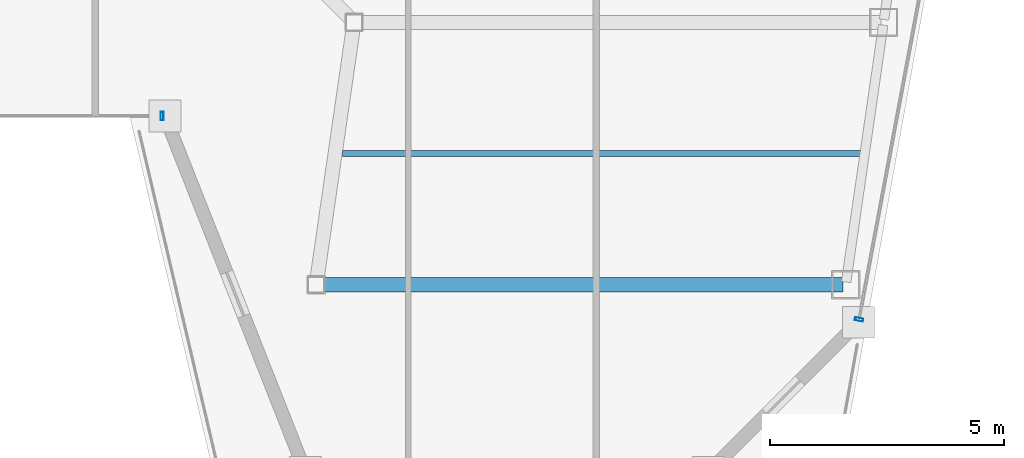
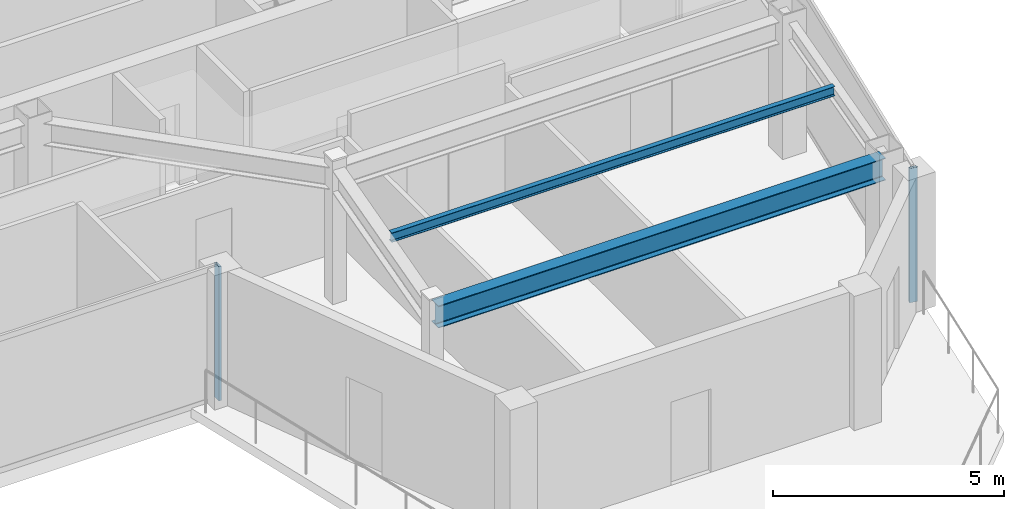
# One storey, part 9 of 25: 2 beams, 2 members, 2 elements without a shape of their own.
"""IFC4 building model written with IfcOpenShell, lengths in metres."""

from ifc_helpers import new_model, si_unit, direction, frame, origin, origin_2d, place, context, subcontext, project, spatial, hollow_rectangle, i_section, extrude, material, material_profile, profile_set, type_object, element, aggregate, save


model = new_model("IFC4")

# Units and contexts
model_context = context("Model", 3, precision=1e-05, world=origin(), true_north=direction((0.0, 1.0)))
body_context = subcontext(model_context, "Body", "Model", "MODEL_VIEW")
ifc_project = project(units=[si_unit("LENGTHUNIT", "METRE"), si_unit("AREAUNIT", "SQUARE_METRE"), si_unit("VOLUMEUNIT", "CUBIC_METRE"), si_unit("PLANEANGLEUNIT", "RADIAN"), si_unit("MASSUNIT", "GRAM", prefix="KILO")], contexts=[model_context])

# Site, building, storey
site_placement = place(None, origin())
site = spatial("IfcSite", under=ifc_project, at=site_placement, CompositionType="ELEMENT")
building_placement = place(site_placement, origin())
building = spatial("IfcBuilding", under=site, at=building_placement, Name="Saevonmaru Cultural Tower", CompositionType="ELEMENT")
storey_placement = place(building_placement, frame((0.0, 0.0, 276.199951171875)))
storey = spatial("IfcBuildingStorey", under=building, at=storey_placement, Name="L65", CompositionType="ELEMENT", Elevation=276.199951171875)

# Beams
ifc_material_1 = material(Name="Steel SM355", Category="steel")
ifc_material_profile_1 = material_profile(ifc_material_1, i_section(OverallWidth=0.300048828125, OverallDepth=0.587890625, WebThickness=0.011962890625, FlangeThickness=0.02001953125, FilletRadius=0.02392578125, at=origin_2d()), Name="H-588x300x12x20")
ifc_profile_set_1 = profile_set([ifc_material_profile_1], Name="Steel SM355")
beam_type_1 = type_object("IfcBeamType", Name="BM-G-H588", PredefinedType="BEAM", material=ifc_profile_set_1)
beam_1_placement = place(storey_placement, frame((40.443115234375, 32.0, 3.256103515625), z_axis=(1.0, 0.0, 0.0), x_axis=(0.0, 1.0, 0.0)))
element("IfcBeam", 1, at=beam_1_placement, inside=storey, type_object=beam_type_1, Name="L65 East Wing Transverse Girder 1", PredefinedType="BEAM", context=body_context, shape_type="SweptSolid", body=[
    extrude(i_section(OverallWidth=0.300048828125, OverallDepth=0.587890625, WebThickness=0.011962890625, FlangeThickness=0.02001953125, FilletRadius=0.02392578125, at=origin_2d()), origin(), (0.0, 0.0, 1.0), 11.179931640625),
])
ifc_material_profile_2 = material_profile(ifc_material_1, i_section(OverallWidth=0.125, OverallDepth=0.25, WebThickness=0.006103515625, FlangeThickness=0.009033203125, FilletRadius=0.008056640625, at=origin_2d()), Name="H-250x125x6x9")
ifc_profile_set_2 = profile_set([ifc_material_profile_2], Name="Steel SM355")
beam_type_2 = type_object("IfcBeamType", Name="BM-J-H250", PredefinedType="JOIST", material=ifc_profile_set_2)
beam_2_placement = place(storey_placement, frame((40.945556640625, 34.800048828125, 3.425048828125), z_axis=(1.0, 0.0, 0.0), x_axis=(0.0, 1.0, 0.0)))
element("IfcBeam", 2, at=beam_2_placement, inside=storey, type_object=beam_type_2, Name="L65 East Wing Floor Joist 1", PredefinedType="JOIST", context=body_context, shape_type="SweptSolid", body=[
    extrude(i_section(OverallWidth=0.125, OverallDepth=0.25, WebThickness=0.006103515625, FlangeThickness=0.009033203125, FilletRadius=0.008056640625, at=origin_2d()), origin(), (0.0, 0.0, 1.0), 11.08203125),
])

# Curtain wall, member
ifc_material_2 = material(Name="Satin Bronze Anodised Aluminium", Category="aluminium")
curtain_wall_type = type_object("IfcCurtainWallType", Name="CW-TYP-B", PredefinedType="NOTDEFINED", material=ifc_material_2)
curtain_wall_1_placement = place(storey_placement, origin())
curtain_wall_1 = element("IfcCurtainWall", 3, at=curtain_wall_1_placement, inside=storey, type_object=curtain_wall_type, Name="L65 Unitised Curtain Wall E4", PredefinedType="NOTDEFINED")
ifc_material_profile_3 = material_profile(ifc_material_2, hollow_rectangle(XDim=0.06494140625, YDim=0.179931640625, WallThickness=0.00390625, at=origin_2d()), Name="ALU-MULL-180x65x4")
ifc_profile_set_3 = profile_set([ifc_material_profile_3], Name="Satin Bronze Anodised Aluminium")
member_type = type_object("IfcMemberType", Name="ML-CW-180x65", PredefinedType="MULLION", material=ifc_profile_set_3)
member_1_placement = place(storey_placement, frame((37.095703125, 35.60009765625, 0.0), z_axis=(0.0, 0.0, 1.0), x_axis=(1.0, 0.0, 0.0)))
member_1 = element("IfcMember", 4, at=member_1_placement, type_object=member_type, Name="CW-TW-L65-E4 mullion 2", PredefinedType="MULLION", context=body_context, shape_type="SweptSolid", body=[
    extrude(hollow_rectangle(XDim=0.06494140625, YDim=0.179931640625, WallThickness=0.00390625, at=origin_2d()), origin(), (0.0, 0.0, 1.0), 3.550048828125),
])
aggregate(curtain_wall_1, [member_1])

curtain_wall_2_placement = place(storey_placement, origin())
curtain_wall_2 = element("IfcCurtainWall", 5, at=curtain_wall_2_placement, inside=storey, type_object=curtain_wall_type, Name="L65 Unitised Curtain Wall E8", PredefinedType="NOTDEFINED")
member_2_placement = place(storey_placement, frame((51.966552734375, 31.259033203125, 0.0), z_axis=(0.0, 0.0, 1.0), x_axis=(0.184046528232, 0.982917532373, 0.0)))
member_2 = element("IfcMember", 6, at=member_2_placement, type_object=member_type, Name="CW-TW-L65-E8 mullion 1", PredefinedType="MULLION", context=body_context, shape_type="SweptSolid", body=[
    extrude(hollow_rectangle(XDim=0.06494140625, YDim=0.179931640625, WallThickness=0.00390625, at=origin_2d()), origin(), (0.0, 0.0, 1.0), 3.550048828125),
])
aggregate(curtain_wall_2, [member_2])

save(model, "model.ifc")
